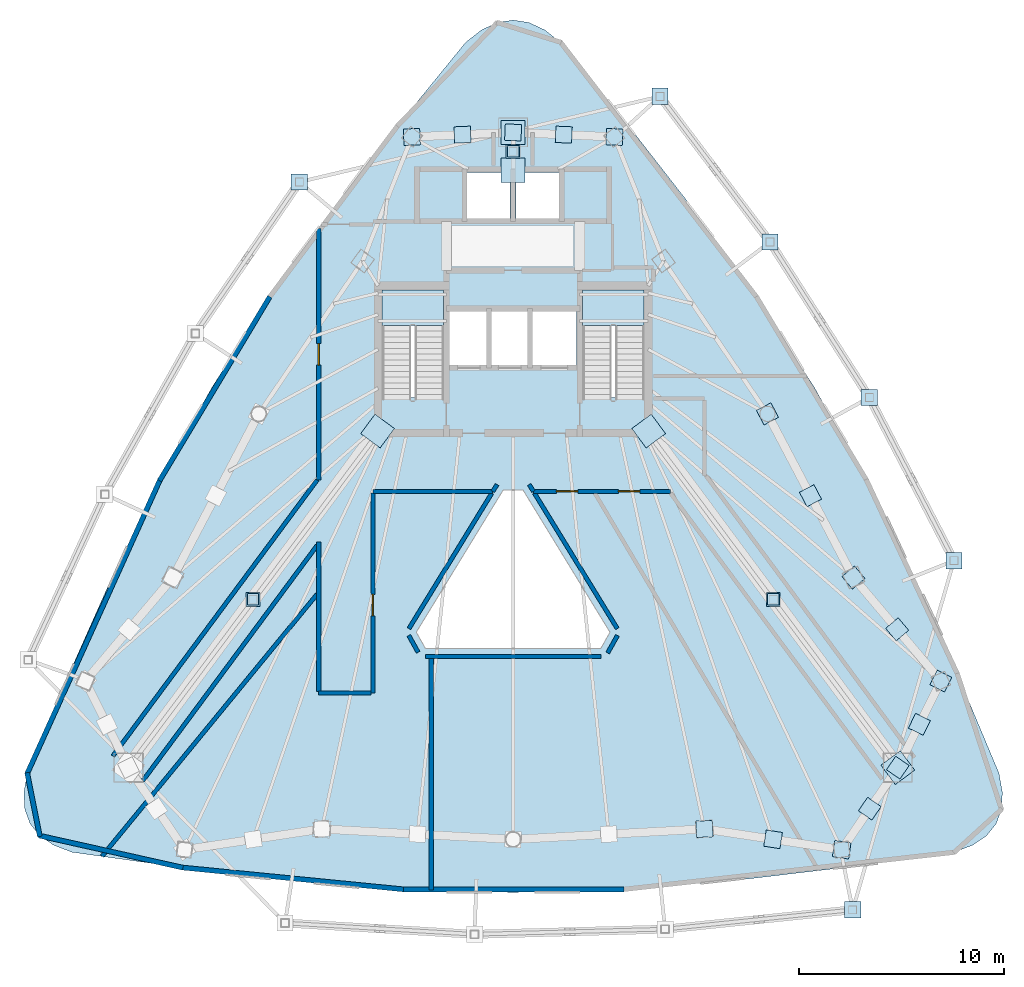
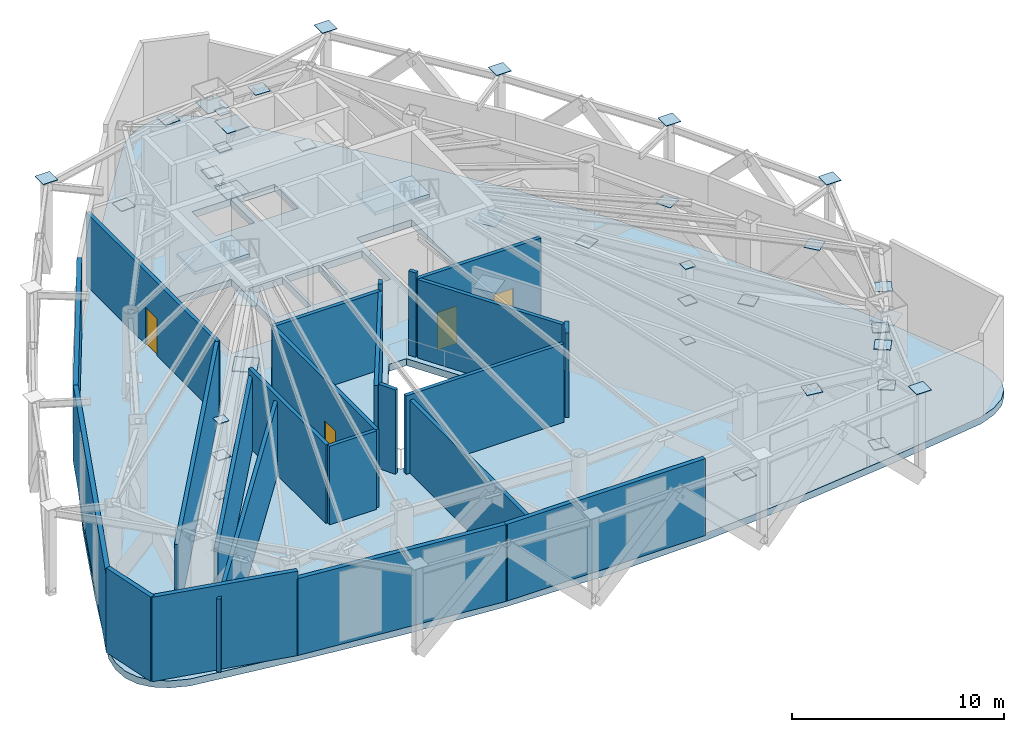
# One storey, part 5 of 10: 39 plates, 23 walls, 4 doors, 3 slabs, 4 openings, 2 elements without a shape of their own.
"""IFC4 building model written with IfcOpenShell, lengths in metres."""

from ifc_helpers import new_model, si_unit, direction, frame, frame_2d, origin, origin_2d, place, context, subcontext, project, spatial, polyline, rectangle, outline, extrude, material, layer, layer_set, type_object, element, fill, aggregate, save


model = new_model("IFC4")

# Units and contexts
model_context = context("Model", 3, precision=1e-05, world=origin(), true_north=direction((0.0, 1.0)))
body_context = subcontext(model_context, "Body", "Model", "MODEL_VIEW")
ifc_project = project(units=[si_unit("LENGTHUNIT", "METRE"), si_unit("AREAUNIT", "SQUARE_METRE"), si_unit("VOLUMEUNIT", "CUBIC_METRE"), si_unit("PLANEANGLEUNIT", "RADIAN"), si_unit("MASSUNIT", "GRAM", prefix="KILO")], contexts=[model_context])

# Site, building, storey
site_placement = place(None, origin())
site = spatial("IfcSite", under=ifc_project, at=site_placement, CompositionType="ELEMENT")
building_placement = place(site_placement, origin())
building = spatial("IfcBuilding", under=site, at=building_placement, Name="Orvanel Arch Residences", CompositionType="ELEMENT")
storey_placement = place(building_placement, frame((0.0, 0.0, 191.300048828125)))
storey = spatial("IfcBuildingStorey", under=building, at=storey_placement, Name="L54", CompositionType="ELEMENT", Elevation=191.300048828125)

# Plates
ifc_material_1 = material(Name="Structural steel AS/NZS 3678 Grade 350", Category="steel")
ifc_layer_1 = layer(ifc_material_1, 0.028076171875)
ifc_layer_set_1 = layer_set([ifc_layer_1], Name="Structural steel AS/NZS 3678 Grade 350")
plate_type_1 = type_object("IfcPlateType", Name="PL-CAP-28", PredefinedType="SHEET", material=ifc_layer_set_1)
for number, where, z_axis, x_axis, name in (
    (1, (42.35107421875, 7.35498046875, 0.2861328125), (0.0, 0.0, 1.0), (0.998536670326, 0.054078812985, 0.0), "L54 hollow member end cap plate"),
    (2, (45.705078125, 6.846923828125, 4.2958984375), (0.0, 0.0, 1.0), (-0.988756381047, 0.149535343444, 0.0), "L54 hollow member end cap plate"),
    (3, (49.05908203125, 6.339111328125, 0.2861328125), (0.0, 0.0, 1.0), (-0.988756381047, 0.149535343444, 0.0), "L54 hollow member end cap plate"),
    (4, (50.429931640625, 8.344970703125, 4.2958984375), (0.0, 0.0, 1.0), (0.564967003425, 0.825113498278, 0.0), "L54 hollow member end cap plate"),
    (5, (51.801025390625, 10.35107421875, 0.2861328125), (0.0, 0.0, 1.0), (0.564967003425, 0.825113498278, 0.0), "L54 hollow member end cap plate"),
    (6, (52.85302734375, 12.466064453125, 4.2958984375), (0.0, 0.0, 1.0), (0.444635179185, 0.895711760239, 0.0), "L54 hollow member end cap plate"),
    (7, (53.905029296875, 14.580078125, 0.2861328125), (0.0, 0.0, 1.0), (0.44619781311, 0.894934361602, 0.0), "L54 hollow member end cap plate"),
    (8, (51.76904296875, 17.111083984375, 4.2958984375), (0.0, 0.0, 1.0), (-0.645457687724, 0.763796028635, 0.0), "L54 hollow member end cap plate"),
    (9, (49.633056640625, 19.64208984375, 0.2861328125), (0.0, 0.0, 1.0), (-0.645457687724, 0.763796028635, 0.0), "L54 hollow member end cap plate"),
    (10, (47.531982421875, 23.64208984375, 4.2958984375), (0.0, 0.0, 1.0), (-0.464842045725, 0.885393625754, 0.0), "L54 hollow member end cap plate"),
    (11, (45.430908203125, 27.64111328125, 0.2861328125), (0.0, 0.0, 1.0), (-0.464842045725, 0.885393625754, 0.0), "L54 hollow member end cap plate"),
    (12, (37.949951171875, 41.177978515625, 0.2861328125), (0.0, 0.0, 1.0), (-0.999048221582, 0.043619387365, 0.0), "L54 hollow member end cap plate"),
    (13, (35.47509765625, 41.2880859375, 4.2958984375), (0.0, 0.0, 1.0), (-0.999048221582, 0.043619387365, 0.0), "L54 hollow member end cap plate"),
    (14, (33.0, 41.39794921875, 0.2861328125), (0.0, 0.0, 1.0), (-0.999048221582, 0.043619387365, 0.0), "L54 hollow member end cap plate"),
    (15, (30.52490234375, 41.2880859375, 4.2958984375), (0.0, 0.0, 1.0), (0.999048221582, 0.043619387365, 0.0), "L54 hollow member end cap plate"),
    (16, (28.050048828125, 41.177978515625, 0.2861328125), (0.0, 0.0, 1.0), (0.999048221582, 0.043619387365, 0.0), "L54 hollow member end cap plate"),
):
    element("IfcPlate", number, at=place(storey_placement, frame(where, z_axis=z_axis, x_axis=x_axis)), inside=storey, type_object=plate_type_1, Name=name, PredefinedType="SHEET", context=body_context, shape_type="SweptSolid", body=[
        extrude(rectangle(XDim=0.800048828125, YDim=0.800048828125, at=origin_2d()), origin(), (0.0, 0.0, 1.0), 0.028076171875),
    ])
for number, where, z_axis, x_axis, name in (
    (17, (33.0, 39.550048828125, 0.3857421875), (0.0, 0.0, 1.0), (0.0, 1.0, 0.0), "L54 hollow member end cap plate"),
    (18, (33.0, 41.39794921875, 4.19580078125), (0.0, 0.0, 1.0), (0.0, 1.0, 0.0), "L54 hollow member end cap plate"),
    (19, (33.0, 39.550048828125, 4.19580078125), (0.0, 0.0, 1.0), (0.0, 1.0, 0.0), "L54 hollow member end cap plate"),
    (20, (26.375, 26.800048828125, 0.3857421875), (0.0, 0.0, 1.0), (0.594822786751, 0.803856860617, 0.0), "L54 hollow member end cap plate"),
    (21, (26.375, 26.800048828125, 4.19580078125), (0.0, 0.0, 1.0), (0.594822786751, 0.803856860617, 0.0), "L54 hollow member end cap plate"),
    (22, (39.625, 26.800048828125, 0.3857421875), (0.0, 0.0, 1.0), (-0.594822786751, 0.803856860617, 0.0), "L54 hollow member end cap plate"),
    (23, (51.801025390625, 10.35107421875, 4.19580078125), (0.0, 0.0, 1.0), (-0.594822786751, 0.803856860617, 0.0), "L54 hollow member end cap plate"),
    (24, (39.625, 26.800048828125, 4.19580078125), (0.0, 0.0, 1.0), (-0.594822786751, 0.803856860617, 0.0), "L54 hollow member end cap plate"),
):
    element("IfcPlate", number, at=place(storey_placement, frame(where, z_axis=z_axis, x_axis=x_axis)), inside=storey, type_object=plate_type_1, Name=name, PredefinedType="SHEET", context=body_context, shape_type="SweptSolid", body=[
        extrude(rectangle(XDim=1.179931640625, YDim=1.179931640625, at=origin_2d()), origin(), (0.0, 0.0, 1.0), 0.028076171875),
    ])
for number, where, z_axis, x_axis, name in (
    (25, (33.0, 40.47412109375, -0.01416015625), (0.0, 0.0, 1.0), (1.0, 0.0, 0.0), "L54 hollow member end cap plate"),
    (26, (33.0, 40.47412109375, 4.345703125), (0.0, 0.0, 1.0), (1.0, 0.0, 0.0), "L54 hollow member end cap plate"),
    (27, (20.287109375, 18.575927734375, -0.01416015625), (0.0, 0.0, 1.0), (1.0, 0.0, 0.0), "L54 hollow member end cap plate"),
    (28, (20.287109375, 18.575927734375, 4.345703125), (0.0, 0.0, 1.0), (1.0, 0.0, 0.0), "L54 hollow member end cap plate"),
    (29, (45.712890625, 18.575927734375, -0.01416015625), (0.0, 0.0, 1.0), (1.0, 0.0, 0.0), "L54 hollow member end cap plate"),
    (30, (45.712890625, 18.575927734375, 4.345703125), (0.0, 0.0, 1.0), (1.0, 0.0, 0.0), "L54 hollow member end cap plate"),
):
    element("IfcPlate", number, at=place(storey_placement, frame(where, z_axis=z_axis, x_axis=x_axis)), inside=storey, type_object=plate_type_1, Name=name, PredefinedType="SHEET", context=body_context, shape_type="SweptSolid", body=[
        extrude(rectangle(XDim=0.56005859375, YDim=0.56005859375, at=origin_2d()), origin(), (0.0, 0.0, 1.0), 0.028076171875),
    ])
ifc_layer_2 = layer(ifc_material_1, 0.031982421875)
ifc_layer_set_2 = layer_set([ifc_layer_2], Name="Structural steel AS/NZS 3678 Grade 350")
plate_type_2 = type_object("IfcPlateType", Name="PL-CAP-32", PredefinedType="SHEET", material=ifc_layer_set_2)
for number, where, z_axis, x_axis, name in (
    (31, (22.553955078125, 38.972900390625, 5.083984375), (0.0, 0.0, 1.0), (1.0, 0.0, 0.0), "L54 hollow member end cap plate"),
    (32, (49.597900390625, 3.405029296875, 5.083984375), (0.0, 0.0, 1.0), (1.0, 0.0, 0.0), "L54 hollow member end cap plate"),
    (33, (54.547119140625, 20.467041015625, 5.083984375), (0.0, 0.0, 1.0), (1.0, 0.0, 0.0), "L54 hollow member end cap plate"),
    (34, (50.409912109375, 28.44091796875, 5.083984375), (0.0, 0.0, 1.0), (1.0, 0.0, 0.0), "L54 hollow member end cap plate"),
    (35, (45.555908203125, 36.0400390625, 5.083984375), (0.0, 0.0, 1.0), (1.0, 0.0, 0.0), "L54 hollow member end cap plate"),
    (36, (40.180908203125, 43.156982421875, 5.083984375), (0.0, 0.0, 1.0), (1.0, 0.0, 0.0), "L54 hollow member end cap plate"),
):
    element("IfcPlate", number, at=place(storey_placement, frame(where, z_axis=z_axis, x_axis=x_axis)), inside=storey, type_object=plate_type_2, Name=name, PredefinedType="SHEET", context=body_context, shape_type="SweptSolid", body=[
        extrude(rectangle(XDim=0.800048828125, YDim=0.800048828125, at=origin_2d()), origin(), (0.0, 0.0, 1.0), 0.031982421875),
    ])
ifc_layer_3 = layer(ifc_material_1, 0.035888671875)
ifc_layer_set_3 = layer_set([ifc_layer_3], Name="Structural steel AS/NZS 3678 Grade 350")
plate_type_3 = type_object("IfcPlateType", Name="PL-GUS-36", PredefinedType="USERDEFINED", material=ifc_layer_set_3)
for number, where, z_axis, x_axis, name in (
    (37, (33.0, 40.47412109375, 2.287109375), (0.0, 0.0, 1.0), (1.0, 0.0, 0.0), "L54 Outrigger Gusset Plate 1-1"),
    (38, (20.287109375, 18.575927734375, 2.287109375), (0.0, 0.0, 1.0), (1.0, 0.0, 0.0), "L54 Outrigger Gusset Plate 2-1"),
    (39, (45.712890625, 18.575927734375, 2.287109375), (0.0, 0.0, 1.0), (1.0, 0.0, 0.0), "L54 Outrigger Gusset Plate 3-1"),
):
    element("IfcPlate", number, at=place(storey_placement, frame(where, z_axis=z_axis, x_axis=x_axis)), inside=storey, type_object=plate_type_3, Name=name, ObjectType="GUSSET_PLATE", PredefinedType="USERDEFINED", context=body_context, shape_type="SweptSolid", body=[
        extrude(rectangle(XDim=0.679931640625, YDim=0.679931640625, at=origin_2d()), origin(), (0.0, 0.0, 1.0), 0.035888671875),
    ])

# Stair, slab
ifc_material_2 = material(Name="Precast concrete N50 (50 MPa)", Category="concrete")
stair_type = type_object("IfcStairType", Name="STR-DOG-181", PredefinedType="USERDEFINED", material=ifc_material_2)
stair_1_placement = place(storey_placement, origin())
stair_1 = element("IfcStair", 40, at=stair_1_placement, inside=storey, type_object=stair_type, Name="L54 Fire-Isolated Core Exit Stair 1", ObjectType="TWO_RETURN_STAIR", PredefinedType="USERDEFINED")
ifc_material_3 = material(Name="Concrete N40 (40 MPa)", Category="concrete")
ifc_layer_4 = layer(ifc_material_3, 0.199951171875)
ifc_layer_set_4 = layer_set([ifc_layer_4], Name="Concrete N40 (40 MPa)")
slab_type_1 = type_object("IfcSlabType", Name="SLB-LND-200", PredefinedType="LANDING", material=ifc_layer_set_4)
slab_1_placement = place(storey_placement, frame((0.0, 0.0, 2.349853515625)))
slab_1 = element("IfcSlab", 41, at=slab_1_placement, type_object=slab_type_1, Name="ST-1 landing 1", PredefinedType="LANDING", context=body_context, shape_type="SweptSolid", body=[
    extrude(outline(polyline([(29.60009765625, 31.9599609375), (29.60009765625, 33.699951171875), (26.60009765625, 33.699951171875), (26.60009765625, 31.9599609375), (29.60009765625, 31.9599609375)])), origin(), (0.0, 0.0, 1.0), 0.2001953125),
])
aggregate(stair_1, [slab_1])

stair_2_placement = place(storey_placement, origin())
stair_2 = element("IfcStair", 42, at=stair_2_placement, inside=storey, type_object=stair_type, Name="L54 Fire-Isolated Core Exit Stair 2", ObjectType="TWO_RETURN_STAIR", PredefinedType="USERDEFINED")
slab_2_placement = place(storey_placement, frame((0.0, 0.0, 2.349853515625)))
slab_2 = element("IfcSlab", 43, at=slab_2_placement, type_object=slab_type_1, Name="ST-2 landing 1", PredefinedType="LANDING", context=body_context, shape_type="SweptSolid", body=[
    extrude(outline(polyline([(39.39990234375, 31.9599609375), (39.39990234375, 33.699951171875), (36.39990234375, 33.699951171875), (36.39990234375, 31.9599609375), (39.39990234375, 31.9599609375)])), origin(), (0.0, 0.0, 1.0), 0.2001953125),
])
aggregate(stair_2, [slab_2])

# Slab
ifc_material_4 = material(Name="Concrete N50 (50 MPa)", Category="concrete")
ifc_layer_5 = layer(ifc_material_4, 0.39990234375)
ifc_layer_set_5 = layer_set([ifc_layer_5], Name="Concrete N50 (50 MPa)")
slab_type_2 = type_object("IfcSlabType", Name="SLB-TRF-400", PredefinedType="FLOOR", material=ifc_layer_set_5)
slab_3_placement = place(storey_placement, frame((0.0, 0.0, -0.400146484375)))
element("IfcSlab", 44, at=slab_3_placement, inside=storey, type_object=slab_type_2, Name="L54 Tower Floor Slab", PredefinedType="FLOOR", context=body_context, shape_type="SweptSolid", body=[
    extrude(outline(polyline([(35.31396484375, 45.805908203125), (34.54296875, 46.406982421875), (33.77099609375, 46.76708984375), (33.0, 46.886962890625), (32.22900390625, 46.76708984375), (31.45703125, 46.406982421875), (30.68603515625, 45.805908203125), (27.362060546875, 41.72705078125), (24.136962890625, 37.587890625), (21.092041015625, 33.341064453125), (18.284912109375, 28.950927734375), (15.73388671875, 24.407958984375), (13.419921875, 19.722900390625), (11.2880859375, 14.927978515625), (9.2529296875, 10.074951171875), (9.0869140625, 9.133056640625), (9.133056640625, 8.31005859375), (9.39208984375, 7.60693359375), (9.862060546875, 7.02392578125), (10.54296875, 6.56103515625), (11.43701171875, 6.218017578125), (16.827880859375, 5.466064453125), (22.218994140625, 4.8291015625), (27.60888671875, 4.403076171875), (33.0, 4.25390625), (38.39111328125, 4.403076171875), (43.781005859375, 4.8291015625), (49.172119140625, 5.466064453125), (54.56298828125, 6.218017578125), (55.4560546875, 6.56103515625), (56.137939453125, 7.02392578125), (56.60791015625, 7.60693359375), (56.866943359375, 8.31005859375), (56.9130859375, 9.133056640625), (56.7470703125, 10.074951171875), (54.7119140625, 14.927978515625), (52.580078125, 19.722900390625), (50.26611328125, 24.407958984375), (47.715087890625, 28.950927734375), (44.907958984375, 33.341064453125), (41.863037109375, 37.587890625), (38.637939453125, 41.72705078125), (35.31396484375, 45.805908203125)]), holes=[polyline([(26.60009765625, 28.429931640625), (26.60009765625, 33.699951171875), (29.60009765625, 33.699951171875), (29.60009765625, 28.429931640625), (26.60009765625, 28.429931640625)]), polyline([(36.39990234375, 28.429931640625), (36.39990234375, 33.699951171875), (39.39990234375, 33.699951171875), (39.39990234375, 28.429931640625), (36.39990234375, 28.429931640625)]), polyline([(29.89990234375, 32.64990234375), (31.75, 32.64990234375), (31.75, 29.949951171875), (29.89990234375, 29.949951171875), (29.89990234375, 32.64990234375)]), polyline([(31.89990234375, 32.64990234375), (33.75, 32.64990234375), (33.75, 29.949951171875), (31.89990234375, 29.949951171875), (31.89990234375, 32.64990234375)]), polyline([(33.89990234375, 32.64990234375), (36.10009765625, 32.64990234375), (36.10009765625, 29.949951171875), (33.89990234375, 29.949951171875), (33.89990234375, 32.64990234375)]), polyline([(30.75, 39.449951171875), (32.85009765625, 39.449951171875), (32.85009765625, 37.199951171875), (30.75, 37.199951171875), (30.75, 39.449951171875)]), polyline([(33.14990234375, 39.449951171875), (35.25, 39.449951171875), (35.25, 37.199951171875), (33.14990234375, 37.199951171875), (33.14990234375, 39.449951171875)]), polyline([(37.73291015625, 16.970947265625), (37.29296875, 16.18603515625), (28.70703125, 16.18603515625), (28.26708984375, 16.970947265625), (32.52001953125, 23.927978515625), (33.47998046875, 23.927978515625), (37.73291015625, 16.970947265625)])]), origin(), (0.0, 0.0, 1.0), 0.400146484375),
])

# Walls
ifc_layer_6 = layer(ifc_material_2, 0.239990234375)
ifc_layer_set_6 = layer_set([ifc_layer_6], Name="Precast concrete N50 (50 MPa)")
wall_type_1 = type_object("IfcWallType", Name="EW-BAL-240", PredefinedType="SOLIDWALL", material=ifc_layer_set_6)
wall_1_placement = place(storey_placement, frame((21.110107421875, 33.37109375, 0.0), z_axis=(0.0, 0.0, 1.0), x_axis=(-0.514365651005, -0.857570974944, 0.0)))
element("IfcWall", 45, at=wall_1_placement, inside=storey, type_object=wall_type_1, Name="L54 Plant Acoustic Louvre Wall Face 1B", PredefinedType="SOLIDWALL", context=body_context, shape_type="SweptSolid", body=[
    extrude(rectangle(XDim=10.48681640625, YDim=0.239990234375, at=frame_2d((5.243408203125, 0.0))), origin(), (0.0, 0.0, 1.0), 4.424072265625),
])
wall_2_placement = place(storey_placement, frame((15.7490234375, 24.43994140625, 0.0), z_axis=(0.0, 0.0, 1.0), x_axis=(-0.412038370905, -0.911166494611, 0.0)))
element("IfcWall", 46, at=wall_2_placement, inside=storey, type_object=wall_type_1, Name="L54 Plant Acoustic Louvre Wall Face 1C", PredefinedType="SOLIDWALL", context=body_context, shape_type="SweptSolid", body=[
    extrude(rectangle(XDim=15.799560546875, YDim=0.239990234375, at=frame_2d((7.89990234375, 0.0))), origin(), (0.0, 0.0, 1.0), 4.424072265625),
])
wall_3_placement = place(storey_placement, frame((16.79296875, 5.469970703125, 0.0), z_axis=(0.0, 0.0, 1.0), x_axis=(0.99517281364, -0.098138020118, 0.0)))
element("IfcWall", 47, at=wall_3_placement, inside=storey, type_object=wall_type_1, Name="L54 Plant Acoustic Louvre Wall Face 2A", PredefinedType="SOLIDWALL", context=body_context, shape_type="SweptSolid", body=[
    extrude(rectangle(XDim=10.90380859375, YDim=0.239990234375, at=frame_2d((5.451904296875, 0.0))), origin(), (0.0, 0.0, 1.0), 4.424072265625),
])
wall_4_placement = place(storey_placement, frame((27.573974609375, 4.403076171875, 0.0), z_axis=(0.0, 0.0, 1.0), x_axis=(1.0, 0.0, 0.0)))
element("IfcWall", 48, at=wall_4_placement, inside=storey, type_object=wall_type_1, Name="L54 Plant Acoustic Louvre Wall Face 2B", PredefinedType="SOLIDWALL", context=body_context, shape_type="SweptSolid", body=[
    extrude(rectangle(XDim=10.85205078125, YDim=0.239990234375, at=frame_2d((5.426025390625, 0.0))), origin(), (0.0, 0.0, 1.0), 4.424072265625),
])
wall_5_placement = place(storey_placement, frame((9.24609375, 10.110107421875, 0.0), z_axis=(0.0, 0.0, 1.0), x_axis=(0.195393190185, -0.980724987562, 0.0)))
element("IfcWall", 49, at=wall_5_placement, inside=storey, type_object=wall_type_1, Name="L54 Plant Corner Enclosure Wall", PredefinedType="SOLIDWALL", context=body_context, shape_type="SweptSolid", body=[
    extrude(rectangle(XDim=3.182373046875, YDim=0.239990234375, at=frame_2d((1.59130859375, 0.0))), origin(), (0.0, 0.0, 1.0), 4.85986328125),
])
wall_6_placement = place(storey_placement, frame((9.826904296875, 7.031005859375, 0.0), z_axis=(0.0, 0.0, 1.0), x_axis=(0.975932182821, -0.218074240879, 0.0)))
element("IfcWall", 50, at=wall_6_placement, inside=storey, type_object=wall_type_1, Name="L54 Plant Corner Enclosure Wall", PredefinedType="SOLIDWALL", context=body_context, shape_type="SweptSolid", body=[
    extrude(rectangle(XDim=7.208740234375, YDim=0.239990234375, at=frame_2d((3.6044921875, 0.0))), origin(), (0.0, 0.0, 1.0), 4.85986328125),
])
ifc_material_5 = material(Name="Fire-rated plasterboard lined steel stud partition", Category="steel")
ifc_layer_7 = layer(ifc_material_5, 0.199951171875)
ifc_layer_set_7 = layer_set([ifc_layer_7], Name="Fire-rated plasterboard lined steel stud partition")
wall_type_2 = type_object("IfcWallType", Name="W-PLT-200", PredefinedType="PARTITIONING", material=ifc_layer_set_7)
wall_7_placement = place(storey_placement, frame((32.215087890625, 24.18505859375, 0.0), z_axis=(0.0, 0.0, 1.0), x_axis=(-0.533320105877, -0.845913508975, 0.0)))
element("IfcWall", 51, at=wall_7_placement, inside=storey, type_object=wall_type_2, Name="L54 Fire-Rated Refuge and Plant Corridor Wall", PredefinedType="PARTITIONING", context=body_context, shape_type="SweptSolid", body=[
    extrude(rectangle(XDim=0.39599609375, YDim=0.199951171875, at=frame_2d((0.197998046875, 0.0))), origin(), (0.0, 0.0, 1.0), 4.85986328125),
])
wall_8_placement = place(storey_placement, frame((32.00390625, 23.85009765625, 0.0), z_axis=(0.0, 0.0, 1.0), x_axis=(-1.0, 0.0, 0.0)))
element("IfcWall", 52, at=wall_8_placement, inside=storey, type_object=wall_type_2, Name="L54 Fire-Rated Refuge and Plant Corridor Wall", PredefinedType="PARTITIONING", context=body_context, shape_type="SweptSolid", body=[
    extrude(rectangle(XDim=5.85400390625, YDim=0.199951171875, at=frame_2d((2.927001953125, 0.0))), origin(), (0.0, 0.0, 1.0), 4.52099609375),
])

# Wall, opening, door
wall_9_placement = place(storey_placement, frame((26.14990234375, 23.764892578125, 0.0), z_axis=(0.0, 0.0, 1.0), x_axis=(0.0, -1.0, 0.0)))
wall_9 = element("IfcWall", 53, at=wall_9_placement, inside=storey, type_object=wall_type_2, Name="L54 Fire-Rated Refuge and Plant Corridor Wall", PredefinedType="PARTITIONING", context=body_context, shape_type="SweptSolid", body=[
    extrude(rectangle(XDim=9.764892578125, YDim=0.199951171875, at=frame_2d((4.88232421875, 0.0))), origin(), (0.0, 0.0, 1.0), 4.52099609375),
])
opening_1_placement = place(wall_9_placement, frame((4.948974609375, 0.0, 0.0)))
opening_1 = element("IfcOpeningElement", 54, at=opening_1_placement, cuts=wall_9, Name="Opening DF-120", PredefinedType="OPENING", context=body_context, shape_type="SweptSolid", body=[
    extrude(rectangle(XDim=1.050048828125, YDim=2.14990234375, at=frame_2d((0.52490234375, 1.074951171875))), frame((0.0, 0.10986328125, 0.0), z_axis=(0.0, -1.0, 0.0), x_axis=(1.0, 0.0, 0.0)), (0.0, 0.0, 1.0), 0.219970703125),
])
ifc_material_6 = material(Name="Galvanised steel fire-resisting door assembly", Category="steel")
door_type = type_object("IfcDoorType", Name="DR-FD120-1050", OperationType="NOTDEFINED", PredefinedType="DOOR", material=ifc_material_6)
door_1_placement = place(opening_1_placement, origin())
door_1 = element("IfcDoor", 55, at=door_1_placement, inside=storey, type_object=door_type, Name="DR-L54-PR-2 L54 L54 Hydraulic Fire and Domestic Pump Plant Room Fire Door", OperationType="SINGLE_SWING_LEFT", OverallHeight=2.14990234375, OverallWidth=1.050048828125, PredefinedType="DOOR", context=body_context, shape_type="SweptSolid", body=[
    extrude(rectangle(XDim=1.050048828125, YDim=2.14990234375, at=frame_2d((0.52490234375, 1.074951171875))), frame((0.0, 0.02490234375, 0.0), z_axis=(0.0, -1.0, 0.0), x_axis=(1.0, 0.0, 0.0)), (0.0, 0.0, 1.0), 0.050048828125),
])
fill(opening_1, door_1)

# Walls
wall_10_placement = place(storey_placement, frame((26.06494140625, 14.0, 0.0), z_axis=(0.0, 0.0, 1.0), x_axis=(-1.0, 0.0, 0.0)))
element("IfcWall", 56, at=wall_10_placement, inside=storey, type_object=wall_type_2, Name="L54 Fire-Rated Refuge and Plant Corridor Wall", PredefinedType="PARTITIONING", context=body_context, shape_type="SweptSolid", body=[
    extrude(rectangle(XDim=2.56494140625, YDim=0.199951171875, at=frame_2d((1.282470703125, 0.0))), origin(), (0.0, 0.0, 1.0), 4.52099609375),
])
wall_11_placement = place(storey_placement, frame((23.5, 14.0849609375, 0.0), z_axis=(0.0, 0.0, 1.0), x_axis=(0.0, 1.0, 0.0)))
element("IfcWall", 57, at=wall_11_placement, inside=storey, type_object=wall_type_2, Name="L54 Fire-Rated Refuge and Plant Corridor Wall", PredefinedType="PARTITIONING", context=body_context, shape_type="SweptSolid", body=[
    extrude(rectangle(XDim=7.2939453125, YDim=0.199951171875, at=frame_2d((3.64697265625, 0.0))), origin(), (0.0, 0.0, 1.0), 4.52099609375),
])

# Wall, opening, door
wall_12_placement = place(storey_placement, frame((23.5, 24.412109375, 0.0), z_axis=(0.0, 0.0, 1.0), x_axis=(0.0, 1.0, 0.0)))
wall_12 = element("IfcWall", 58, at=wall_12_placement, inside=storey, type_object=wall_type_2, Name="L54 Fire-Rated Refuge and Plant Corridor Wall", PredefinedType="PARTITIONING", context=body_context, shape_type="SweptSolid", body=[
    extrude(rectangle(XDim=12.27880859375, YDim=0.199951171875, at=frame_2d((6.139404296875, 0.0))), origin(), (0.0, 0.0, 1.0), 4.212890625),
])
opening_2_placement = place(wall_12_placement, frame((5.614990234375, 0.0, 0.0)))
opening_2 = element("IfcOpeningElement", 59, at=opening_2_placement, cuts=wall_12, Name="Opening DF-120", PredefinedType="OPENING", context=body_context, shape_type="SweptSolid", body=[
    extrude(rectangle(XDim=1.050048828125, YDim=2.14990234375, at=frame_2d((0.52490234375, 1.074951171875))), frame((0.0, 0.10986328125, 0.0), z_axis=(0.0, -1.0, 0.0), x_axis=(1.0, 0.0, 0.0)), (0.0, 0.0, 1.0), 0.219970703125),
])
door_2_placement = place(opening_2_placement, origin())
door_2 = element("IfcDoor", 60, at=door_2_placement, inside=storey, type_object=door_type, Name="DR-L54-PR-3 L54 L54 High-Voltage Switchroom and BMS Plant Fire Door", OperationType="SINGLE_SWING_LEFT", OverallHeight=2.14990234375, OverallWidth=1.050048828125, PredefinedType="DOOR", context=body_context, shape_type="SweptSolid", body=[
    extrude(rectangle(XDim=1.050048828125, YDim=2.14990234375, at=frame_2d((0.52490234375, 1.074951171875))), frame((0.0, 0.02490234375, 0.0), z_axis=(0.0, -1.0, 0.0), x_axis=(1.0, 0.0, 0.0)), (0.0, 0.0, 1.0), 0.050048828125),
])
fill(opening_2, door_2)

# Wall, openings, doors
wall_13_placement = place(storey_placement, frame((40.700927734375, 23.85009765625, 0.0), z_axis=(0.0, 0.0, 1.0), x_axis=(-1.0, 0.0, 0.0)))
wall_13 = element("IfcWall", 61, at=wall_13_placement, inside=storey, type_object=wall_type_2, Name="L54 Fire-Rated Refuge and Plant Corridor Wall", PredefinedType="PARTITIONING", context=body_context, shape_type="SweptSolid", body=[
    extrude(rectangle(XDim=6.704833984375, YDim=0.199951171875, at=frame_2d((3.3525390625, 0.0))), origin(), (0.0, 0.0, 1.0), 4.52099609375),
])
opening_3_placement = place(wall_13_placement, frame((4.5380859375, 0.0, 0.0)))
opening_3 = element("IfcOpeningElement", 62, at=opening_3_placement, cuts=wall_13, Name="Opening DF-120", PredefinedType="OPENING", context=body_context, shape_type="SweptSolid", body=[
    extrude(rectangle(XDim=1.050048828125, YDim=2.14990234375, at=frame_2d((0.52490234375, 1.074951171875))), frame((0.0, 0.10986328125, 0.0), z_axis=(0.0, -1.0, 0.0), x_axis=(1.0, 0.0, 0.0)), (0.0, 0.0, 1.0), 0.219970703125),
])
opening_4_placement = place(wall_13_placement, frame((1.5029296875, 0.0, 0.0)))
opening_4 = element("IfcOpeningElement", 63, at=opening_4_placement, cuts=wall_13, Name="Opening DF-120", PredefinedType="OPENING", context=body_context, shape_type="SweptSolid", body=[
    extrude(rectangle(XDim=1.050048828125, YDim=2.14990234375, at=frame_2d((0.52490234375, 1.074951171875))), frame((0.0, 0.10986328125, 0.0), z_axis=(0.0, -1.0, 0.0), x_axis=(1.0, 0.0, 0.0)), (0.0, 0.0, 1.0), 0.219970703125),
])
door_3_placement = place(opening_3_placement, origin())
door_3 = element("IfcDoor", 64, at=door_3_placement, inside=storey, type_object=door_type, Name="DR-L54-PR-4 L54 L54 Pressurised Fire Refuge Area 1 Fire Door", OperationType="SINGLE_SWING_LEFT", OverallHeight=2.14990234375, OverallWidth=1.050048828125, PredefinedType="DOOR", context=body_context, shape_type="SweptSolid", body=[
    extrude(rectangle(XDim=1.050048828125, YDim=2.14990234375, at=frame_2d((0.52490234375, 1.074951171875))), frame((0.0, 0.02490234375, 0.0), z_axis=(0.0, -1.0, 0.0), x_axis=(1.0, 0.0, 0.0)), (0.0, 0.0, 1.0), 0.050048828125),
])
fill(opening_3, door_3)
door_4_placement = place(opening_4_placement, origin())
door_4 = element("IfcDoor", 65, at=door_4_placement, inside=storey, type_object=door_type, Name="DR-L54-PR-5 L54 L54 Pressurised Fire Refuge Area 2 Fire Door", OperationType="SINGLE_SWING_LEFT", OverallHeight=2.14990234375, OverallWidth=1.050048828125, PredefinedType="DOOR", context=body_context, shape_type="SweptSolid", body=[
    extrude(rectangle(XDim=1.050048828125, YDim=2.14990234375, at=frame_2d((0.52490234375, 1.074951171875))), frame((0.0, 0.02490234375, 0.0), z_axis=(0.0, -1.0, 0.0), x_axis=(1.0, 0.0, 0.0)), (0.0, 0.0, 1.0), 0.050048828125),
])
fill(opening_4, door_4)

# Walls
wall_14_placement = place(storey_placement, frame((33.99609375, 23.85009765625, 0.0), z_axis=(0.0, 0.0, 1.0), x_axis=(-0.533320105877, 0.845913508975, 0.0)))
element("IfcWall", 66, at=wall_14_placement, inside=storey, type_object=wall_type_2, Name="L54 Fire-Rated Refuge and Plant Corridor Wall", PredefinedType="PARTITIONING", context=body_context, shape_type="SweptSolid", body=[
    extrude(rectangle(XDim=0.39599609375, YDim=0.199951171875, at=frame_2d((0.197998046875, 0.0))), origin(), (0.0, 0.0, 1.0), 4.85986328125),
])
wall_15_placement = place(storey_placement, frame((34.0419921875, 23.764892578125, 0.0), z_axis=(0.0, 0.0, 1.0), x_axis=(0.521934804425, -0.852985380841, 0.0)))
element("IfcWall", 67, at=wall_15_placement, inside=storey, type_object=wall_type_2, Name="L54 Atrium Smoke Wall", PredefinedType="PARTITIONING", context=body_context, shape_type="SweptSolid", body=[
    extrude(rectangle(XDim=7.759765625, YDim=0.199951171875, at=frame_2d((3.8798828125, 0.0))), origin(), (0.0, 0.0, 1.0), 4.52099609375),
])
wall_16_placement = place(storey_placement, frame((38.09912109375, 16.81005859375, 0.0), z_axis=(0.0, 0.0, 1.0), x_axis=(-0.489288061848, -0.872122234857, 0.0)))
element("IfcWall", 68, at=wall_16_placement, inside=storey, type_object=wall_type_2, Name="L54 Atrium Smoke Wall", PredefinedType="PARTITIONING", context=body_context, shape_type="SweptSolid", body=[
    extrude(rectangle(XDim=0.97705078125, YDim=0.199951171875, at=frame_2d((0.488525390625, 0.0))), origin(), (0.0, 0.0, 1.0), 4.85986328125),
])
wall_17_placement = place(storey_placement, frame((37.29296875, 15.785888671875, 0.0), z_axis=(0.0, 0.0, 1.0), x_axis=(-1.0, 0.0, 0.0)))
element("IfcWall", 69, at=wall_17_placement, inside=storey, type_object=wall_type_2, Name="L54 Atrium Smoke Wall", PredefinedType="PARTITIONING", context=body_context, shape_type="SweptSolid", body=[
    extrude(rectangle(XDim=8.5859375, YDim=0.199951171875, at=frame_2d((4.29296875, 0.0))), origin(), (0.0, 0.0, 1.0), 4.52099609375),
])
wall_18_placement = place(storey_placement, frame((28.35791015625, 15.989990234375, 0.0), z_axis=(0.0, 0.0, 1.0), x_axis=(-0.486812718904, 0.873506369017, 0.0)))
element("IfcWall", 70, at=wall_18_placement, inside=storey, type_object=wall_type_2, Name="L54 Atrium Smoke Wall", PredefinedType="PARTITIONING", context=body_context, shape_type="SweptSolid", body=[
    extrude(rectangle(XDim=0.938720703125, YDim=0.199951171875, at=frame_2d((0.46923828125, 0.0))), origin(), (0.0, 0.0, 1.0), 4.85986328125),
])
wall_19_placement = place(storey_placement, frame((27.907958984375, 17.14599609375, 0.0), z_axis=(0.0, 0.0, 1.0), x_axis=(0.521934804425, 0.852985380841, 0.0)))
element("IfcWall", 71, at=wall_19_placement, inside=storey, type_object=wall_type_2, Name="L54 Atrium Smoke Wall", PredefinedType="PARTITIONING", context=body_context, shape_type="SweptSolid", body=[
    extrude(rectangle(XDim=7.759765625, YDim=0.199951171875, at=frame_2d((3.8798828125, 0.0))), origin(), (0.0, 0.0, 1.0), 4.52099609375),
])
wall_20_placement = place(storey_placement, frame((23.4150390625, 21.205078125, 0.0), z_axis=(0.0, 0.0, 1.0), x_axis=(-0.595233674943, -0.803552656777, 0.0)))
element("IfcWall", 72, at=wall_20_placement, inside=storey, type_object=wall_type_2, Name="L54 Outrigger Truss Fire Enclosure Wall", PredefinedType="PARTITIONING", context=body_context, shape_type="SweptSolid", body=[
    extrude(rectangle(XDim=14.30029296875, YDim=0.199951171875, at=frame_2d((7.150146484375, 0.0))), origin(), (0.0, 0.0, 1.0), 4.212890625),
])
wall_21_placement = place(storey_placement, frame((13.43505859375, 10.916015625, 0.0), z_axis=(0.0, 0.0, 1.0), x_axis=(0.59495386146, 0.803759853895, 0.0)))
element("IfcWall", 73, at=wall_21_placement, inside=storey, type_object=wall_type_2, Name="L54 Outrigger Truss Fire Enclosure Wall", PredefinedType="PARTITIONING", context=body_context, shape_type="SweptSolid", body=[
    extrude(rectangle(XDim=16.791259765625, YDim=0.199951171875, at=frame_2d((8.3955078125, 0.0))), origin(), (0.0, 0.0, 1.0), 4.212890625),
])
wall_22_placement = place(storey_placement, frame((29.0, 4.3798828125, 0.0), z_axis=(0.0, 0.0, 1.0), x_axis=(0.0, 1.0, 0.0)))
element("IfcWall", 74, at=wall_22_placement, inside=storey, type_object=wall_type_2, Name="L54 Fire Compartment Wall", PredefinedType="PARTITIONING", context=body_context, shape_type="SweptSolid", body=[
    extrude(rectangle(XDim=11.321044921875, YDim=0.199951171875, at=frame_2d((5.66064453125, 0.0))), origin(), (0.0, 0.0, 1.0), 4.212890625),
])
wall_23_placement = place(storey_placement, frame((23.4150390625, 18.822998046875, 0.0), z_axis=(0.0, 0.0, 1.0), x_axis=(-0.634430264866, -0.772980102604, 0.0)))
element("IfcWall", 75, at=wall_23_placement, inside=storey, type_object=wall_type_2, Name="L54 Fire Compartment Wall", PredefinedType="PARTITIONING", context=body_context, shape_type="SweptSolid", body=[
    extrude(rectangle(XDim=16.556884765625, YDim=0.199951171875, at=frame_2d((8.2783203125, 0.0))), origin(), (0.0, 0.0, 1.0), 4.212890625),
])

save(model, "model.ifc")
